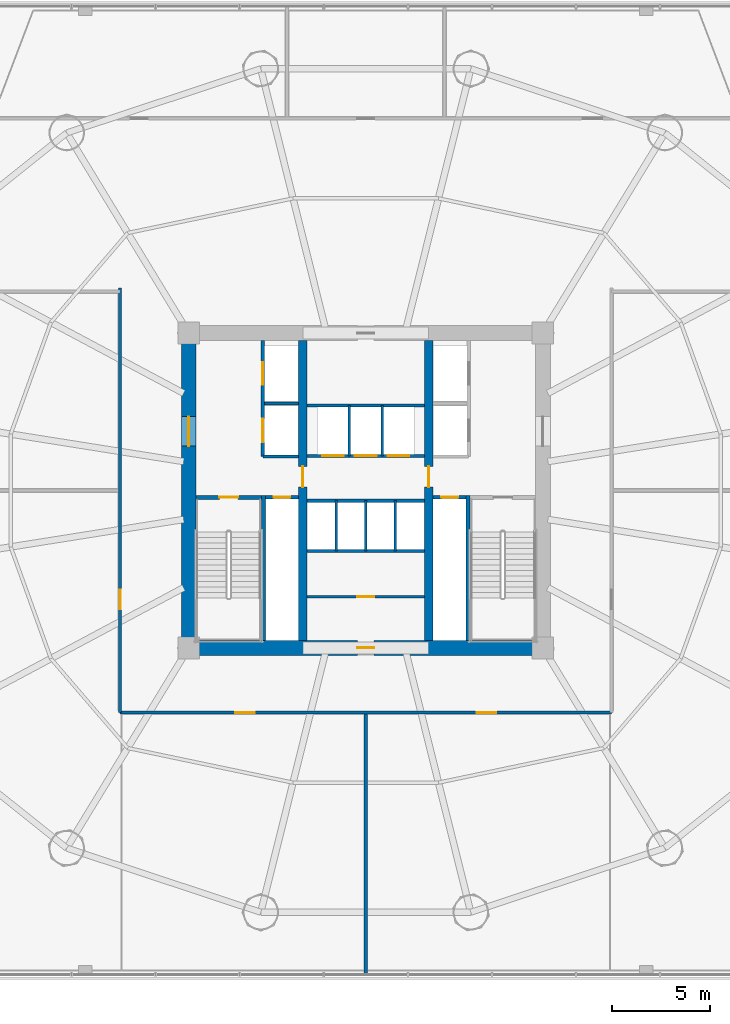
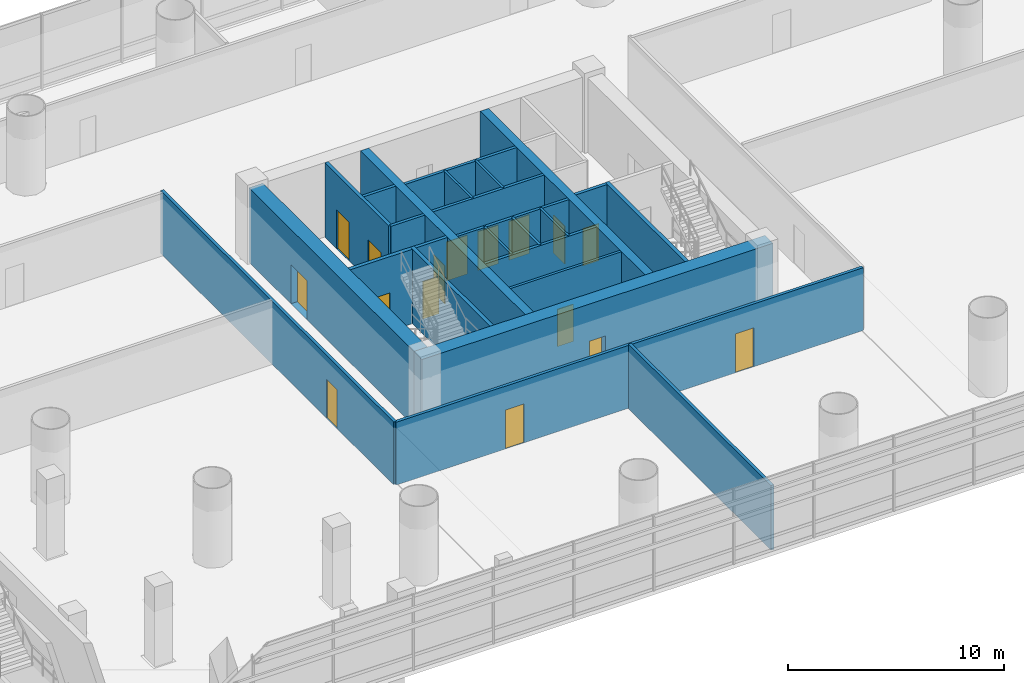
# One storey, part 21 of 36: 25 walls, 16 doors, 16 openings.
"""IFC4 building model written with IfcOpenShell, lengths in metres."""

from ifc_helpers import new_model, si_unit, direction, frame, frame_2d, origin, place, context, subcontext, project, spatial, rectangle, extrude, source, transform, mapped, material, layer, layer_set, type_object, element, fill, save


model = new_model("IFC4")

# Units and contexts
model_context = context("Model", 3, precision=1e-05, world=origin(), true_north=direction((-0.2419218956, 0.970295726276)))
body_context = subcontext(model_context, "Body", "Model", "MODEL_VIEW")
ifc_project = project(units=[si_unit("LENGTHUNIT", "METRE"), si_unit("AREAUNIT", "SQUARE_METRE"), si_unit("VOLUMEUNIT", "CUBIC_METRE"), si_unit("PLANEANGLEUNIT", "RADIAN"), si_unit("MASSUNIT", "GRAM", prefix="KILO")], contexts=[model_context])

# Site, building, storey
site_placement = place(None, origin())
site = spatial("IfcSite", under=ifc_project, at=site_placement, CompositionType="ELEMENT")
building_placement = place(site_placement, origin())
building = spatial("IfcBuilding", under=site, at=building_placement, Name="Cobrevalo Terracotta Tower", CompositionType="ELEMENT")
storey_placement = place(building_placement, frame((0.0, 0.0, 5.39990234375)))
storey = spatial("IfcBuildingStorey", under=building, at=storey_placement, Name="L01", CompositionType="ELEMENT", Elevation=5.39990234375)

# Wall, opening, door
ifc_material_1 = material(Name="Concrete C60", Category="concrete")
ifc_layer_1 = layer(ifc_material_1, 0.75)
ifc_layer_set_1 = layer_set([ifc_layer_1], Name="Concrete C60")
wall_type_1 = type_object("IfcWallType", Name="Core shear wall 750 mm Concrete C60", PredefinedType="SHEAR", material=ifc_layer_set_1)
wall_1_placement = place(storey_placement, frame((28.625, 18.800048828125, 0.0), z_axis=(0.0, 0.0, 1.0), x_axis=(1.0, 0.0, 0.0)))
wall_1 = element("IfcWall", 1, at=wall_1_placement, inside=storey, type_object=wall_type_1, Name="L01 south core shear wall", PredefinedType="SHEAR", context=body_context, shape_type="SweptSolid", body=[
    extrude(rectangle(XDim=18.75, YDim=0.75, at=frame_2d((9.375, 0.0))), origin(), (0.0, 0.0, 1.0), 4.2001953125),
])
opening_1_placement = place(wall_1_placement, frame((8.949951171875, 0.0, 0.0)))
opening_1 = element("IfcOpeningElement", 2, at=opening_1_placement, cuts=wall_1, Name="Opening ID-22", PredefinedType="OPENING", context=body_context, shape_type="SweptSolid", body=[
    extrude(rectangle(XDim=0.85009765625, YDim=2.10009765625, at=frame_2d((0.425048828125, 1.050048828125))), frame((0.0, 0.385009765625, 0.0), z_axis=(0.0, -1.0, 0.0), x_axis=(1.0, 0.0, 0.0)), (0.0, 0.0, 1.0), 0.77001953125),
])
ifc_material_2 = material(Name="Powder-coated steel", Category="steel")
door_type_1 = type_object("IfcDoorType", Name="Riser shaft & meter closet fire access door 850x2100 EI 60", OperationType="NOTDEFINED", PredefinedType="DOOR", material=ifc_material_2)
shared_shape_1 = source(origin(), body_context, "Body", "SweptSolid", [
    extrude(rectangle(XDim=0.85009765625, YDim=2.10009765625, at=frame_2d((0.425048828125, 1.050048828125))), frame((0.0, 0.02490234375, 0.0), z_axis=(0.0, -1.0, 0.0), x_axis=(1.0, 0.0, 0.0)), (0.0, 0.0, 1.0), 0.050048828125),
])
door_1_placement = place(opening_1_placement, origin())
door_1 = element("IfcDoor", 3, at=door_1_placement, inside=storey, type_object=door_type_1, Name="L01 core south plant door Smoke Extract Fan Plant", OperationType="SINGLE_SWING_RIGHT", OverallHeight=2.10009765625, OverallWidth=0.85009765625, PredefinedType="DOOR", context=body_context, shape_type="MappedRepresentation", body=[
    mapped(shared_shape_1, transform((0.0, 0.0, 0.0), scale=1.0)),
])
fill(opening_1, door_1)

wall_2_placement = place(storey_placement, frame((29.0, 19.175048828125, 0.0), z_axis=(0.0, 0.0, 1.0), x_axis=(0.0, 1.0, 0.0)))
wall_2 = element("IfcWall", 4, at=wall_2_placement, inside=storey, type_object=wall_type_1, Name="L01 west core shear wall", PredefinedType="SHEAR", context=body_context, shape_type="SweptSolid", body=[
    extrude(rectangle(XDim=15.25, YDim=0.75, at=frame_2d((7.625, 0.0))), origin(), (0.0, 0.0, 1.0), 4.2001953125),
])
opening_2_placement = place(wall_2_placement, frame((9.875, 0.0, 0.0)))
opening_2 = element("IfcOpeningElement", 5, at=opening_2_placement, cuts=wall_2, Name="Opening ID-14", PredefinedType="OPENING", context=body_context, shape_type="SweptSolid", body=[
    extrude(rectangle(XDim=1.5, YDim=2.199951171875, at=frame_2d((0.75, 1.10009765625))), frame((0.0, 0.385009765625, 0.0), z_axis=(0.0, -1.0, 0.0), x_axis=(1.0, 0.0, 0.0)), (0.0, 0.0, 1.0), 0.77001953125),
])
ifc_material_3 = material(Name="Galvanized fire-rated steel", Category="steel")
door_type_2 = type_object("IfcDoorType", Name="Core cross-lobby double fire door 1500x2200 EI 90", OperationType="NOTDEFINED", PredefinedType="DOOR", material=ifc_material_3)
shared_shape_2 = source(origin(), body_context, "Body", "SweptSolid", [
    extrude(rectangle(XDim=1.5, YDim=2.199951171875, at=frame_2d((0.75, 1.10009765625))), frame((0.0, 0.02490234375, 0.0), z_axis=(0.0, -1.0, 0.0), x_axis=(1.0, 0.0, 0.0)), (0.0, 0.0, 1.0), 0.050048828125),
])
door_2_placement = place(opening_2_placement, origin())
door_2 = element("IfcDoor", 6, at=door_2_placement, inside=storey, type_object=door_type_2, Name="L01 west firefighting lobby entrance door", OperationType="DOUBLE_DOOR_SINGLE_SWING", OverallHeight=2.199951171875, OverallWidth=1.5, PredefinedType="DOOR", context=body_context, shape_type="MappedRepresentation", body=[
    mapped(shared_shape_2, transform((0.0, 0.0, 0.0), scale=1.0)),
])
fill(opening_2, door_2)

# Walls
ifc_material_4 = material(Name="Gypsum board on steel stud", Category="steel")
ifc_layer_2 = layer(ifc_material_4, 0.159912109375)
ifc_layer_set_2 = layer_set([ifc_layer_2], Name="Gypsum board on steel stud")
wall_type_2 = type_object("IfcWallType", Name="Fire-rated corridor acoustic partition wall 160 mm", PredefinedType="PARTITIONING", material=ifc_layer_set_2)
wall_3_placement = place(storey_placement, frame((32.860107421875, 31.219970703125, 0.0), z_axis=(0.0, 0.0, 1.0), x_axis=(1.0, 0.0, 0.0)))
element("IfcWall", 7, at=wall_3_placement, inside=storey, type_object=wall_type_2, Name="L01 interior partition IW-L01-FF1-M", PredefinedType="PARTITIONING", context=body_context, shape_type="SweptSolid", body=[
    extrude(rectangle(XDim=1.71484375, YDim=0.159912109375, at=frame_2d((0.857421875, 0.0))), origin(), (0.0, 0.0, 1.0), 4.2001953125),
])
wall_4_placement = place(storey_placement, frame((32.77001953125, 28.52001953125, 0.0), z_axis=(0.0, 0.0, 1.0), x_axis=(1.0, 0.0, 0.0)))
element("IfcWall", 8, at=wall_4_placement, inside=storey, type_object=wall_type_2, Name="L01 interior partition IW-L01-FF1-S", PredefinedType="PARTITIONING", context=body_context, shape_type="SweptSolid", body=[
    extrude(rectangle(XDim=1.804931640625, YDim=0.159912109375, at=frame_2d((0.90234375, 0.0))), origin(), (0.0, 0.0, 1.0), 4.2001953125),
])

# Wall, openings, doors
wall_5_placement = place(storey_placement, frame((35.02490234375, 28.56005859375, 0.0), z_axis=(0.0, 0.0, 1.0), x_axis=(1.0, 0.0, 0.0)))
wall_5 = element("IfcWall", 9, at=wall_5_placement, inside=storey, type_object=wall_type_2, Name="L01 interior partition IW-L01-LB-S", PredefinedType="PARTITIONING", context=body_context, shape_type="SweptSolid", body=[
    extrude(rectangle(XDim=5.9501953125, YDim=0.159912109375, at=frame_2d((2.97509765625, 0.0))), origin(), (0.0, 0.0, 1.0), 4.2001953125),
])
opening_3_placement = place(wall_5_placement, frame((0.760009765625, 0.0, 0.0)))
opening_3 = element("IfcOpeningElement", 10, at=opening_3_placement, cuts=wall_5, Name="Opening LD-01", PredefinedType="OPENING", context=body_context, shape_type="SweptSolid", body=[
    extrude(rectangle(XDim=1.10009765625, YDim=2.199951171875, at=frame_2d((0.550048828125, 1.10009765625))), frame((0.0, 0.08984375, 0.0), z_axis=(0.0, -1.0, 0.0), x_axis=(1.0, 0.0, 0.0)), (0.0, 0.0, 1.0), 0.179931640625),
])
opening_4_placement = place(wall_5_placement, frame((2.425048828125, 0.0, 0.0)))
opening_4 = element("IfcOpeningElement", 11, at=opening_4_placement, cuts=wall_5, Name="Opening LD-01", PredefinedType="OPENING", context=body_context, shape_type="SweptSolid", body=[
    extrude(rectangle(XDim=1.10009765625, YDim=2.199951171875, at=frame_2d((0.550048828125, 1.10009765625))), frame((0.0, 0.08984375, 0.0), z_axis=(0.0, -1.0, 0.0), x_axis=(1.0, 0.0, 0.0)), (0.0, 0.0, 1.0), 0.179931640625),
])
opening_5_placement = place(wall_5_placement, frame((4.090087890625, 0.0, 0.0)))
opening_5 = element("IfcOpeningElement", 12, at=opening_5_placement, cuts=wall_5, Name="Opening LD-01", PredefinedType="OPENING", context=body_context, shape_type="SweptSolid", body=[
    extrude(rectangle(XDim=1.10009765625, YDim=2.199951171875, at=frame_2d((0.550048828125, 1.10009765625))), frame((0.0, 0.08984375, 0.0), z_axis=(0.0, -1.0, 0.0), x_axis=(1.0, 0.0, 0.0)), (0.0, 0.0, 1.0), 0.179931640625),
])
ifc_material_5 = material(Name="Brushed stainless steel", Category="steel")
door_type_3 = type_object("IfcDoorType", Name="Passenger lift landing bi-parting sliding door 1100x2200 EI 90", OperationType="DOUBLE_DOOR_SLIDING", PredefinedType="DOOR", material=ifc_material_5)
shared_shape_3 = source(origin(), body_context, "Body", "SweptSolid", [
    extrude(rectangle(XDim=1.10009765625, YDim=2.199951171875, at=frame_2d((0.550048828125, 1.10009765625))), frame((0.0, 0.02490234375, 0.0), z_axis=(0.0, -1.0, 0.0), x_axis=(1.0, 0.0, 0.0)), (0.0, 0.0, 1.0), 0.050048828125),
])
door_3_placement = place(opening_3_placement, origin())
door_3 = element("IfcDoor", 13, at=door_3_placement, inside=storey, type_object=door_type_3, Name="L01 lift landing door PL-L1", OperationType="DOUBLE_DOOR_SLIDING", OverallHeight=2.199951171875, OverallWidth=1.10009765625, PredefinedType="DOOR", context=body_context, shape_type="MappedRepresentation", body=[
    mapped(shared_shape_3, transform((0.0, 0.0, 0.0), scale=1.0)),
])
fill(opening_3, door_3)
door_4_placement = place(opening_4_placement, origin())
door_4 = element("IfcDoor", 14, at=door_4_placement, inside=storey, type_object=door_type_3, Name="L01 lift landing door PL-L2", OperationType="DOUBLE_DOOR_SLIDING", OverallHeight=2.199951171875, OverallWidth=1.10009765625, PredefinedType="DOOR", context=body_context, shape_type="MappedRepresentation", body=[
    mapped(shared_shape_3, transform((0.0, 0.0, 0.0), scale=1.0)),
])
fill(opening_4, door_4)
door_5_placement = place(opening_5_placement, origin())
door_5 = element("IfcDoor", 15, at=door_5_placement, inside=storey, type_object=door_type_3, Name="L01 lift landing door PL-L3", OperationType="DOUBLE_DOOR_SLIDING", OverallHeight=2.199951171875, OverallWidth=1.10009765625, PredefinedType="DOOR", context=body_context, shape_type="MappedRepresentation", body=[
    mapped(shared_shape_3, transform((0.0, 0.0, 0.0), scale=1.0)),
])
fill(opening_5, door_5)

# Walls
for number, where, z_axis, x_axis, name in (
    (16, (35.02490234375, 31.1201171875, 0.0), (0.0, 0.0, 1.0), (1.0, 0.0, 0.0), "L01 interior partition IW-L01-LB-N"),
    (17, (35.02490234375, 26.280029296875, 0.0), (0.0, 0.0, 1.0), (1.0, 0.0, 0.0), "L01 interior partition IW-L01-MB-N"),
    (18, (35.02490234375, 23.719970703125, 0.0), (0.0, 0.0, 1.0), (1.0, 0.0, 0.0), "L01 interior partition IW-L01-MB-S"),
):
    element("IfcWall", number, at=place(storey_placement, frame(where, z_axis=z_axis, x_axis=x_axis)), inside=storey, type_object=wall_type_2, Name=name, PredefinedType="PARTITIONING", context=body_context, shape_type="SweptSolid", body=[
        extrude(rectangle(XDim=5.9501953125, YDim=0.159912109375, at=frame_2d((2.97509765625, 0.0))), origin(), (0.0, 0.0, 1.0), 4.2001953125),
    ])

# Wall, openings, doors
wall_6_placement = place(storey_placement, frame((25.52001953125, 15.52001953125, 0.0), z_axis=(0.0, 0.0, 1.0), x_axis=(1.0, 0.0, 0.0)))
wall_6 = element("IfcWall", 19, at=wall_6_placement, inside=storey, type_object=wall_type_2, Name="L01 interior partition IW-L01-PC-S", PredefinedType="PARTITIONING", context=body_context, shape_type="SweptSolid", body=[
    extrude(rectangle(XDim=24.9599609375, YDim=0.159912109375, at=frame_2d((12.47998046875, 0.0))), origin(), (0.0, 0.0, 1.0), 3.550048828125),
])
opening_6_placement = place(wall_6_placement, frame((5.8544921875, 0.0, 0.0)))
opening_6 = element("IfcOpeningElement", 20, at=opening_6_placement, cuts=wall_6, Name="Opening ID-05", PredefinedType="OPENING", context=body_context, shape_type="SweptSolid", body=[
    extrude(rectangle(XDim=0.97998046875, YDim=2.199951171875, at=frame_2d((0.489990234375, 1.10009765625))), frame((0.0, 0.08984375, 0.0), z_axis=(0.0, -1.0, 0.0), x_axis=(1.0, 0.0, 0.0)), (0.0, 0.0, 1.0), 0.179931640625),
])
opening_7_placement = place(wall_6_placement, frame((18.12548828125, 0.0, 0.0)))
opening_7 = element("IfcOpeningElement", 21, at=opening_7_placement, cuts=wall_6, Name="Opening ID-05", PredefinedType="OPENING", context=body_context, shape_type="SweptSolid", body=[
    extrude(rectangle(XDim=0.97998046875, YDim=2.199951171875, at=frame_2d((0.489990234375, 1.10009765625))), frame((0.0, 0.08984375, 0.0), z_axis=(0.0, -1.0, 0.0), x_axis=(1.0, 0.0, 0.0)), (0.0, 0.0, 1.0), 0.179931640625),
])
ifc_material_6 = material(Name="Solid hardwood timber", Category="wood")
door_type_4 = type_object("IfcDoorType", Name="Residence entrance fire-rated acoustic timber door 980x2200 EI 60", OperationType="NOTDEFINED", PredefinedType="DOOR", material=ifc_material_6)
shared_shape_4 = source(origin(), body_context, "Body", "SweptSolid", [
    extrude(rectangle(XDim=0.97998046875, YDim=2.199951171875, at=frame_2d((0.489990234375, 1.10009765625))), frame((0.0, 0.02490234375, 0.0), z_axis=(0.0, -1.0, 0.0), x_axis=(1.0, 0.0, 0.0)), (0.0, 0.0, 1.0), 0.050048828125),
])
door_6_placement = place(opening_6_placement, frame((0.97998046875, 0.0, 0.0), z_axis=(0.0, 0.0, 1.0), x_axis=(-1.0, 0.0, 0.0)))
door_6 = element("IfcDoor", 22, at=door_6_placement, inside=storey, type_object=door_type_4, Name="L01 Cultural Lecture Room door", OperationType="SINGLE_SWING_RIGHT", OverallHeight=2.199951171875, OverallWidth=0.97998046875, PredefinedType="DOOR", context=body_context, shape_type="MappedRepresentation", body=[
    mapped(shared_shape_4, transform((0.0, 0.0, 0.0), scale=1.0)),
])
fill(opening_6, door_6)
door_7_placement = place(opening_7_placement, frame((0.97998046875, 0.0, 0.0), z_axis=(0.0, 0.0, 1.0), x_axis=(-1.0, 0.0, 0.0)))
door_7 = element("IfcDoor", 23, at=door_7_placement, inside=storey, type_object=door_type_4, Name="L01 Gallery Administration door", OperationType="SINGLE_SWING_LEFT", OverallHeight=2.199951171875, OverallWidth=0.97998046875, PredefinedType="DOOR", context=body_context, shape_type="MappedRepresentation", body=[
    mapped(shared_shape_4, transform((0.0, 0.0, 0.0), scale=1.0)),
])
fill(opening_7, door_7)

# Wall, opening, door
wall_7_placement = place(storey_placement, frame((25.52001953125, 15.52001953125, 0.0), z_axis=(0.0, 0.0, 1.0), x_axis=(0.0, 1.0, 0.0)))
wall_7 = element("IfcWall", 24, at=wall_7_placement, inside=storey, type_object=wall_type_2, Name="L01 interior partition IW-L01-PC-W", PredefinedType="PARTITIONING", context=body_context, shape_type="SweptSolid", body=[
    extrude(rectangle(XDim=21.56005859375, YDim=0.159912109375, at=frame_2d((10.780029296875, 0.0))), origin(), (0.0, 0.0, 1.0), 3.550048828125),
])
opening_8_placement = place(wall_7_placement, frame((5.25439453125, 0.0, 0.0)))
opening_8 = element("IfcOpeningElement", 25, at=opening_8_placement, cuts=wall_7, Name="Opening ID-05", PredefinedType="OPENING", context=body_context, shape_type="SweptSolid", body=[
    extrude(rectangle(XDim=0.97998046875, YDim=2.199951171875, at=frame_2d((0.489990234375, 1.10009765625))), frame((0.0, 0.08984375, 0.0), z_axis=(0.0, -1.0, 0.0), x_axis=(1.0, 0.0, 0.0)), (0.0, 0.0, 1.0), 0.179931640625),
])
door_8_placement = place(opening_8_placement, frame((0.97998046875, 0.0, 0.0), z_axis=(0.0, 0.0, 1.0), x_axis=(-1.0, 0.0, 0.0)))
door_8 = element("IfcDoor", 26, at=door_8_placement, inside=storey, type_object=door_type_4, Name="L01 Terracotta Design Gallery door", OperationType="SINGLE_SWING_RIGHT", OverallHeight=2.199951171875, OverallWidth=0.97998046875, PredefinedType="DOOR", context=body_context, shape_type="MappedRepresentation", body=[
    mapped(shared_shape_4, transform((0.0, 0.0, 0.0), scale=1.0)),
])
fill(opening_8, door_8)

# Wall
wall_8_placement = place(storey_placement, frame((38.0, 2.239990234375, 0.0), z_axis=(0.0, 0.0, 1.0), x_axis=(0.0, 1.0, 0.0)))
element("IfcWall", 27, at=wall_8_placement, inside=storey, type_object=wall_type_2, Name="L01 interior partition IW-L01-PS-M", PredefinedType="PARTITIONING", context=body_context, shape_type="SweptSolid", body=[
    extrude(rectangle(XDim=13.197998046875, YDim=0.159912109375, at=frame_2d((6.59912109375, 0.0))), origin(), (0.0, 0.0, 1.0), 3.64208984375),
])

# Wall, opening, door
ifc_layer_3 = layer(ifc_material_4, 0.179931640625)
ifc_layer_set_3 = layer_set([ifc_layer_3], Name="Gypsum board on steel stud")
wall_type_3 = type_object("IfcWallType", Name="Fire-rated shaft & lobby acoustic partition wall 180 mm", PredefinedType="PARTITIONING", material=ifc_layer_set_3)
wall_9_placement = place(storey_placement, frame((32.89990234375, 26.449951171875, 0.0), z_axis=(0.0, 0.0, 1.0), x_axis=(1.0, 0.0, 0.0)))
wall_9 = element("IfcWall", 28, at=wall_9_placement, inside=storey, type_object=wall_type_3, Name="L01 interior partition IW-L01-RSW-N", PredefinedType="PARTITIONING", context=body_context, shape_type="SweptSolid", body=[
    extrude(rectangle(XDim=1.675048828125, YDim=0.179931640625, at=frame_2d((0.83740234375, 0.0))), origin(), (0.0, 0.0, 1.0), 4.2001953125),
])
opening_9_placement = place(wall_9_placement, frame((0.41259765625, 0.0, 0.0)))
opening_9 = element("IfcOpeningElement", 29, at=opening_9_placement, cuts=wall_9, Name="Opening ID-22", PredefinedType="OPENING", context=body_context, shape_type="SweptSolid", body=[
    extrude(rectangle(XDim=0.85009765625, YDim=2.10009765625, at=frame_2d((0.425048828125, 1.050048828125))), frame((0.0, 0.10009765625, 0.0), z_axis=(0.0, -1.0, 0.0), x_axis=(1.0, 0.0, 0.0)), (0.0, 0.0, 1.0), 0.199951171875),
])
door_9_placement = place(opening_9_placement, origin())
door_9 = element("IfcDoor", 30, at=door_9_placement, inside=storey, type_object=door_type_1, Name="L01 riser access door RSW", OperationType="SINGLE_SWING_LEFT", OverallHeight=2.10009765625, OverallWidth=0.85009765625, PredefinedType="DOOR", context=body_context, shape_type="MappedRepresentation", body=[
    mapped(shared_shape_1, transform((0.0, 0.0, 0.0), scale=1.0)),
])
fill(opening_9, door_9)

wall_10_placement = place(storey_placement, frame((41.425048828125, 26.449951171875, 0.0), z_axis=(0.0, 0.0, 1.0), x_axis=(1.0, 0.0, 0.0)))
wall_10 = element("IfcWall", 31, at=wall_10_placement, inside=storey, type_object=wall_type_3, Name="L01 interior partition IW-L01-RSE-N", PredefinedType="PARTITIONING", context=body_context, shape_type="SweptSolid", body=[
    extrude(rectangle(XDim=1.675048828125, YDim=0.179931640625, at=frame_2d((0.83740234375, 0.0))), origin(), (0.0, 0.0, 1.0), 4.2001953125),
])
opening_10_placement = place(wall_10_placement, frame((0.41259765625, 0.0, 0.0)))
opening_10 = element("IfcOpeningElement", 32, at=opening_10_placement, cuts=wall_10, Name="Opening ID-22", PredefinedType="OPENING", context=body_context, shape_type="SweptSolid", body=[
    extrude(rectangle(XDim=0.85009765625, YDim=2.10009765625, at=frame_2d((0.425048828125, 1.050048828125))), frame((0.0, 0.10009765625, 0.0), z_axis=(0.0, -1.0, 0.0), x_axis=(1.0, 0.0, 0.0)), (0.0, 0.0, 1.0), 0.199951171875),
])
door_10_placement = place(opening_10_placement, origin())
door_10 = element("IfcDoor", 33, at=door_10_placement, inside=storey, type_object=door_type_1, Name="L01 riser access door RSE", OperationType="SINGLE_SWING_RIGHT", OverallHeight=2.10009765625, OverallWidth=0.85009765625, PredefinedType="DOOR", context=body_context, shape_type="MappedRepresentation", body=[
    mapped(shared_shape_1, transform((0.0, 0.0, 0.0), scale=1.0)),
])
fill(opening_10, door_10)

# Wall, openings, doors
wall_11_placement = place(storey_placement, frame((32.77001953125, 28.52001953125, 0.0), z_axis=(0.0, 0.0, 1.0), x_axis=(0.0, 1.0, 0.0)))
wall_11 = element("IfcWall", 34, at=wall_11_placement, inside=storey, type_object=wall_type_3, Name="L01 interior partition IW-L01-FF1-W", PredefinedType="PARTITIONING", context=body_context, shape_type="SweptSolid", body=[
    extrude(rectangle(XDim=5.905029296875, YDim=0.179931640625, at=frame_2d((2.95263671875, 0.0))), origin(), (0.0, 0.0, 1.0), 4.2001953125),
])
opening_11_placement = place(wall_11_placement, frame((3.655029296875, 0.0, 0.0)))
opening_11 = element("IfcOpeningElement", 35, at=opening_11_placement, cuts=wall_11, Name="Opening LD-02", PredefinedType="OPENING", context=body_context, shape_type="SweptSolid", body=[
    extrude(rectangle(XDim=1.14990234375, YDim=2.199951171875, at=frame_2d((0.574951171875, 1.10009765625))), frame((0.0, 0.10009765625, 0.0), z_axis=(0.0, -1.0, 0.0), x_axis=(1.0, 0.0, 0.0)), (0.0, 0.0, 1.0), 0.199951171875),
])
opening_12_placement = place(wall_11_placement, frame((0.72998046875, 0.0, 0.0)))
opening_12 = element("IfcOpeningElement", 36, at=opening_12_placement, cuts=wall_11, Name="Opening LD-03", PredefinedType="OPENING", context=body_context, shape_type="SweptSolid", body=[
    extrude(rectangle(XDim=1.199951171875, YDim=2.25, at=frame_2d((0.60009765625, 1.125))), frame((0.0, 0.10009765625, 0.0), z_axis=(0.0, -1.0, 0.0), x_axis=(1.0, 0.0, 0.0)), (0.0, 0.0, 1.0), 0.199951171875),
])
door_type_5 = type_object("IfcDoorType", Name="Firefighting lift landing bi-parting sliding door 1150x2200 EI 120", OperationType="DOUBLE_DOOR_SLIDING", PredefinedType="DOOR", material=ifc_material_5)
shared_shape_5 = source(origin(), body_context, "Body", "SweptSolid", [
    extrude(rectangle(XDim=1.14990234375, YDim=2.199951171875, at=frame_2d((0.574951171875, 1.10009765625))), frame((0.0, 0.02490234375, 0.0), z_axis=(0.0, -1.0, 0.0), x_axis=(1.0, 0.0, 0.0)), (0.0, 0.0, 1.0), 0.050048828125),
])
door_11_placement = place(opening_11_placement, origin())
door_11 = element("IfcDoor", 37, at=door_11_placement, inside=storey, type_object=door_type_5, Name="L01 lift landing door FF-1", OperationType="DOUBLE_DOOR_SLIDING", OverallHeight=2.199951171875, OverallWidth=1.14990234375, PredefinedType="DOOR", context=body_context, shape_type="MappedRepresentation", body=[
    mapped(shared_shape_5, transform((0.0, 0.0, 0.0), scale=1.0)),
])
fill(opening_11, door_11)
door_type_6 = type_object("IfcDoorType", Name="Service lift landing bi-parting sliding door 1200x2250 EI 120", OperationType="DOUBLE_DOOR_SLIDING", PredefinedType="DOOR", material=ifc_material_5)
shared_shape_6 = source(origin(), body_context, "Body", "SweptSolid", [
    extrude(rectangle(XDim=1.199951171875, YDim=2.25, at=frame_2d((0.60009765625, 1.125))), frame((0.0, 0.02490234375, 0.0), z_axis=(0.0, -1.0, 0.0), x_axis=(1.0, 0.0, 0.0)), (0.0, 0.0, 1.0), 0.050048828125),
])
door_12_placement = place(opening_12_placement, origin())
door_12 = element("IfcDoor", 38, at=door_12_placement, inside=storey, type_object=door_type_6, Name="L01 lift landing door SV-1", OperationType="DOUBLE_DOOR_SLIDING", OverallHeight=2.25, OverallWidth=1.199951171875, PredefinedType="DOOR", context=body_context, shape_type="MappedRepresentation", body=[
    mapped(shared_shape_6, transform((0.0, 0.0, 0.0), scale=1.0)),
])
fill(opening_12, door_12)

# Walls
ifc_material_7 = material(Name="Autoclaved aerated concrete block", Category="concrete")
ifc_layer_4 = layer(ifc_material_7, 0.1201171875)
ifc_layer_set_4 = layer_set([ifc_layer_4], Name="Autoclaved aerated concrete block")
wall_type_4 = type_object("IfcWallType", Name="Fire-rated wet-room & core service partition 120 mm", PredefinedType="PARTITIONING", material=ifc_layer_set_4)
for number, where, z_axis, x_axis, name in (
    (39, (37.169921875, 28.56005859375, 0.0), (0.0, 0.0, 1.0), (0.0, 1.0, 0.0), "L01 interior partition IW-L01-LB-D1"),
    (40, (38.830078125, 28.56005859375, 0.0), (0.0, 0.0, 1.0), (0.0, 1.0, 0.0), "L01 interior partition IW-L01-LB-D2"),
    (41, (36.5, 23.719970703125, 0.0), (0.0, 0.0, 1.0), (0.0, 1.0, 0.0), "L01 interior partition IW-L01-MB-D1"),
    (42, (39.5, 23.719970703125, 0.0), (0.0, 0.0, 1.0), (0.0, 1.0, 0.0), "L01 interior partition IW-L01-MB-D3"),
):
    element("IfcWall", number, at=place(storey_placement, frame(where, z_axis=z_axis, x_axis=x_axis)), inside=storey, type_object=wall_type_4, Name=name, PredefinedType="PARTITIONING", context=body_context, shape_type="SweptSolid", body=[
        extrude(rectangle(XDim=2.56005859375, YDim=0.1201171875, at=frame_2d((1.280029296875, 0.0))), origin(), (0.0, 0.0, 1.0), 4.2001953125),
    ])

# Wall, opening, door
ifc_material_8 = material(Name="Concrete C55", Category="concrete")
ifc_layer_5 = layer(ifc_material_8, 0.449951171875)
ifc_layer_set_5 = layer_set([ifc_layer_5], Name="Concrete C55")
wall_type_5 = type_object("IfcWallType", Name="Internal core shear web wall 450 mm Concrete C55", PredefinedType="SHEAR", material=ifc_layer_set_5)
wall_12_placement = place(storey_placement, frame((34.800048828125, 19.175048828125, 0.0), z_axis=(0.0, 0.0, 1.0), x_axis=(0.0, 1.0, 0.0)))
wall_12 = element("IfcWall", 43, at=wall_12_placement, inside=storey, type_object=wall_type_5, Name="L01 internal core shear wall WEB-W", PredefinedType="SHEAR", context=body_context, shape_type="SweptSolid", body=[
    extrude(rectangle(XDim=15.25, YDim=0.449951171875, at=frame_2d((7.625, 0.0))), origin(), (0.0, 0.0, 1.0), 4.2001953125),
])
opening_13_placement = place(wall_12_placement, frame((7.800048828125, 0.0, 0.0)))
opening_13 = element("IfcOpeningElement", 44, at=opening_13_placement, cuts=wall_12, Name="Opening ID-11", PredefinedType="OPENING", context=body_context, shape_type="SweptSolid", body=[
    extrude(rectangle(XDim=1.050048828125, YDim=2.14990234375, at=frame_2d((0.52490234375, 1.074951171875))), frame((0.0, 0.23486328125, 0.0), z_axis=(0.0, -1.0, 0.0), x_axis=(1.0, 0.0, 0.0)), (0.0, 0.0, 1.0), 0.469970703125),
])
door_type_7 = type_object("IfcDoorType", Name="Core concourse cross fire door 1050x2150 EI 90", OperationType="NOTDEFINED", PredefinedType="DOOR", material=ifc_material_3)
shared_shape_7 = source(origin(), body_context, "Body", "SweptSolid", [
    extrude(rectangle(XDim=1.050048828125, YDim=2.14990234375, at=frame_2d((0.52490234375, 1.074951171875))), frame((0.0, 0.02490234375, 0.0), z_axis=(0.0, -1.0, 0.0), x_axis=(1.0, 0.0, 0.0)), (0.0, 0.0, 1.0), 0.050048828125),
])
door_13_placement = place(opening_13_placement, origin())
door_13 = element("IfcDoor", 45, at=door_13_placement, inside=storey, type_object=door_type_7, Name="L01 west core concourse cross door", OperationType="SINGLE_SWING_LEFT", OverallHeight=2.14990234375, OverallWidth=1.050048828125, PredefinedType="DOOR", context=body_context, shape_type="MappedRepresentation", body=[
    mapped(shared_shape_7, transform((0.0, 0.0, 0.0), scale=1.0)),
])
fill(opening_13, door_13)

wall_13_placement = place(storey_placement, frame((41.199951171875, 19.175048828125, 0.0), z_axis=(0.0, 0.0, 1.0), x_axis=(0.0, 1.0, 0.0)))
wall_13 = element("IfcWall", 46, at=wall_13_placement, inside=storey, type_object=wall_type_5, Name="L01 internal core shear wall WEB-E", PredefinedType="SHEAR", context=body_context, shape_type="SweptSolid", body=[
    extrude(rectangle(XDim=15.25, YDim=0.449951171875, at=frame_2d((7.625, 0.0))), origin(), (0.0, 0.0, 1.0), 4.2001953125),
])
opening_14_placement = place(wall_13_placement, frame((7.800048828125, 0.0, 0.0)))
opening_14 = element("IfcOpeningElement", 47, at=opening_14_placement, cuts=wall_13, Name="Opening ID-11", PredefinedType="OPENING", context=body_context, shape_type="SweptSolid", body=[
    extrude(rectangle(XDim=1.050048828125, YDim=2.14990234375, at=frame_2d((0.52490234375, 1.074951171875))), frame((0.0, 0.23486328125, 0.0), z_axis=(0.0, -1.0, 0.0), x_axis=(1.0, 0.0, 0.0)), (0.0, 0.0, 1.0), 0.469970703125),
])
door_14_placement = place(opening_14_placement, frame((1.050048828125, 0.0, 0.0), z_axis=(0.0, 0.0, 1.0), x_axis=(-1.0, 0.0, 0.0)))
door_14 = element("IfcDoor", 48, at=door_14_placement, inside=storey, type_object=door_type_7, Name="L01 east core concourse cross door", OperationType="SINGLE_SWING_RIGHT", OverallHeight=2.14990234375, OverallWidth=1.050048828125, PredefinedType="DOOR", context=body_context, shape_type="MappedRepresentation", body=[
    mapped(shared_shape_7, transform((0.0, 0.0, 0.0), scale=1.0)),
])
fill(opening_14, door_14)

# Wall
ifc_layer_6 = layer(ifc_material_7, 0.139892578125)
ifc_layer_set_6 = layer_set([ifc_layer_6], Name="Autoclaved aerated concrete block")
wall_type_6 = type_object("IfcWallType", Name="Moisture-resistant wet-room & core service partition 140 mm", PredefinedType="PARTITIONING", material=ifc_layer_set_6)
wall_14_placement = place(storey_placement, frame((38.0, 23.719970703125, 0.0), z_axis=(0.0, 0.0, 1.0), x_axis=(0.0, 1.0, 0.0)))
element("IfcWall", 49, at=wall_14_placement, inside=storey, type_object=wall_type_6, Name="L01 interior partition IW-L01-MB-D2", PredefinedType="PARTITIONING", context=body_context, shape_type="SweptSolid", body=[
    extrude(rectangle(XDim=2.56005859375, YDim=0.139892578125, at=frame_2d((1.280029296875, 0.0))), origin(), (0.0, 0.0, 1.0), 4.2001953125),
])

# Wall, opening, door
wall_15_placement = place(storey_placement, frame((35.02490234375, 21.407470703125, 0.0), z_axis=(0.0, 0.0, 1.0), x_axis=(1.0, 0.0, 0.0)))
wall_15 = element("IfcWall", 50, at=wall_15_placement, inside=storey, type_object=wall_type_6, Name="L01 interior partition IW-L01-KVS-H", PredefinedType="PARTITIONING", context=body_context, shape_type="SweptSolid", body=[
    extrude(rectangle(XDim=5.9501953125, YDim=0.139892578125, at=frame_2d((2.97509765625, 0.0))), origin(), (0.0, 0.0, 1.0), 4.2001953125),
])
opening_15_placement = place(wall_15_placement, frame((2.550048828125, 0.0, 0.0)))
opening_15 = element("IfcOpeningElement", 51, at=opening_15_placement, cuts=wall_15, Name="Opening ID-22", PredefinedType="OPENING", context=body_context, shape_type="SweptSolid", body=[
    extrude(rectangle(XDim=0.85009765625, YDim=2.10009765625, at=frame_2d((0.425048828125, 1.050048828125))), frame((0.0, 0.080078125, 0.0), z_axis=(0.0, -1.0, 0.0), x_axis=(1.0, 0.0, 0.0)), (0.0, 0.0, 1.0), 0.159912109375),
])
door_15_placement = place(opening_15_placement, origin())
door_15 = element("IfcDoor", 52, at=door_15_placement, inside=storey, type_object=door_type_1, Name="L01 core manifold inner door", OperationType="SINGLE_SWING_LEFT", OverallHeight=2.10009765625, OverallWidth=0.85009765625, PredefinedType="DOOR", context=body_context, shape_type="MappedRepresentation", body=[
    mapped(shared_shape_1, transform((0.0, 0.0, 0.0), scale=1.0)),
])
fill(opening_15, door_15)

# Wall
ifc_material_9 = material(Name="Concrete C50", Category="concrete")
ifc_layer_7 = layer(ifc_material_9, 0.199951171875)
ifc_layer_set_7 = layer_set([ifc_layer_7], Name="Concrete C50")
wall_type_7 = type_object("IfcWallType", Name="Structural core & podium stair-shaft RC wall 200 mm Concrete C50", PredefinedType="SOLIDWALL", material=ifc_layer_set_7)
wall_16_placement = place(storey_placement, frame((32.794921875, 19.175048828125, 0.0), z_axis=(0.0, 0.0, 1.0), x_axis=(0.0, 1.0, 0.0)))
element("IfcWall", 53, at=wall_16_placement, inside=storey, type_object=wall_type_7, Name="L01 ST-1 east structural shaft wall", PredefinedType="SOLIDWALL", context=body_context, shape_type="SweptSolid", body=[
    extrude(rectangle(XDim=7.375, YDim=0.199951171875, at=frame_2d((3.6875, 0.0))), origin(), (0.0, 0.0, 1.0), 4.2001953125),
])

# Wall, opening, door
wall_17_placement = place(storey_placement, frame((29.375, 26.449951171875, 0.0), z_axis=(0.0, 0.0, 1.0), x_axis=(1.0, 0.0, 0.0)))
wall_17 = element("IfcWall", 54, at=wall_17_placement, inside=storey, type_object=wall_type_7, Name="L01 ST-1 north structural shaft wall", PredefinedType="SOLIDWALL", context=body_context, shape_type="SweptSolid", body=[
    extrude(rectangle(XDim=3.320068359375, YDim=0.199951171875, at=frame_2d((1.66015625, 0.0))), origin(), (0.0, 0.0, 1.0), 4.2001953125),
])
opening_16_placement = place(wall_17_placement, frame((1.18505859375, 0.0, 0.0)))
opening_16 = element("IfcOpeningElement", 55, at=opening_16_placement, cuts=wall_17, Name="Opening ID-04", PredefinedType="OPENING", context=body_context, shape_type="SweptSolid", body=[
    extrude(rectangle(XDim=0.949951171875, YDim=2.14990234375, at=frame_2d((0.47509765625, 1.074951171875))), frame((0.0, 0.10986328125, 0.0), z_axis=(0.0, -1.0, 0.0), x_axis=(1.0, 0.0, 0.0)), (0.0, 0.0, 1.0), 0.219970703125),
])
door_type_8 = type_object("IfcDoorType", Name="Stair & firefighting lobby fire door 950x2150 EI 90", OperationType="NOTDEFINED", PredefinedType="DOOR", material=ifc_material_3)
shared_shape_8 = source(origin(), body_context, "Body", "SweptSolid", [
    extrude(rectangle(XDim=0.949951171875, YDim=2.14990234375, at=frame_2d((0.47509765625, 1.074951171875))), frame((0.0, 0.02490234375, 0.0), z_axis=(0.0, -1.0, 0.0), x_axis=(1.0, 0.0, 0.0)), (0.0, 0.0, 1.0), 0.050048828125),
])
door_16_placement = place(opening_16_placement, origin())
door_16 = element("IfcDoor", 56, at=door_16_placement, inside=storey, type_object=door_type_8, Name="L01 protected stair ST1 fire door", OperationType="SINGLE_SWING_LEFT", OverallHeight=2.14990234375, OverallWidth=0.949951171875, PredefinedType="DOOR", context=body_context, shape_type="MappedRepresentation", body=[
    mapped(shared_shape_8, transform((0.0, 0.0, 0.0), scale=1.0)),
])
fill(opening_16, door_16)

# Wall
wall_18_placement = place(storey_placement, frame((43.205078125, 19.175048828125, 0.0), z_axis=(0.0, 0.0, 1.0), x_axis=(0.0, 1.0, 0.0)))
element("IfcWall", 57, at=wall_18_placement, inside=storey, type_object=wall_type_7, Name="L01 ST-2 west structural shaft wall", PredefinedType="SOLIDWALL", context=body_context, shape_type="SweptSolid", body=[
    extrude(rectangle(XDim=7.375, YDim=0.199951171875, at=frame_2d((3.6875, 0.0))), origin(), (0.0, 0.0, 1.0), 4.2001953125),
])

save(model, "model.ifc")
